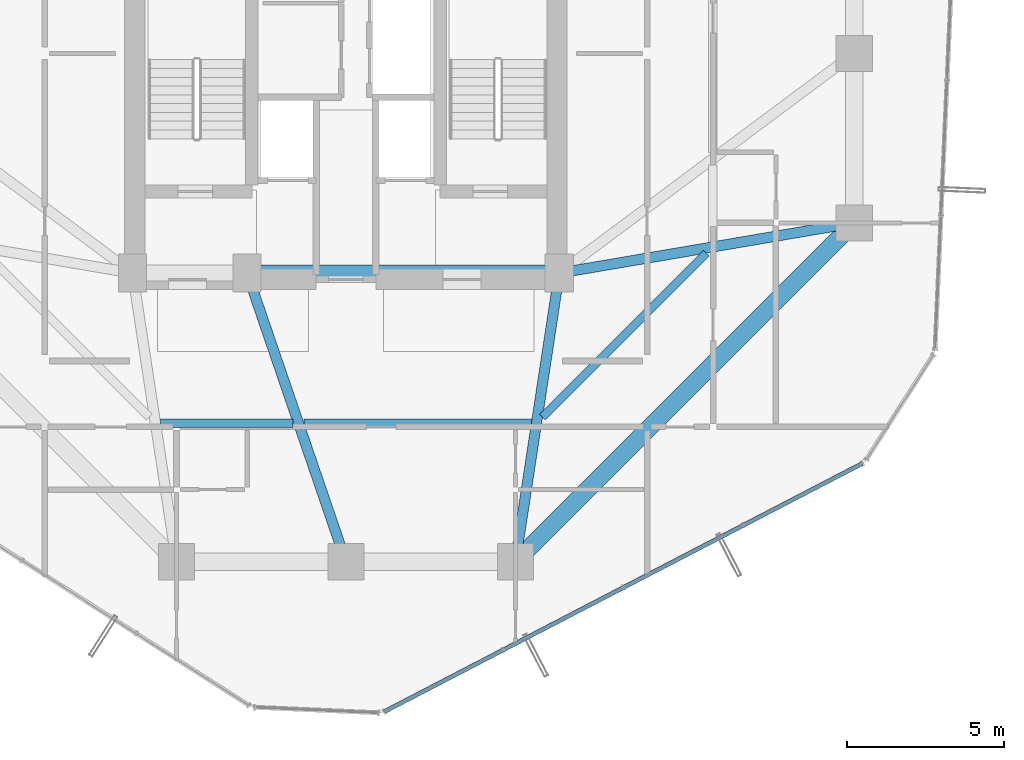
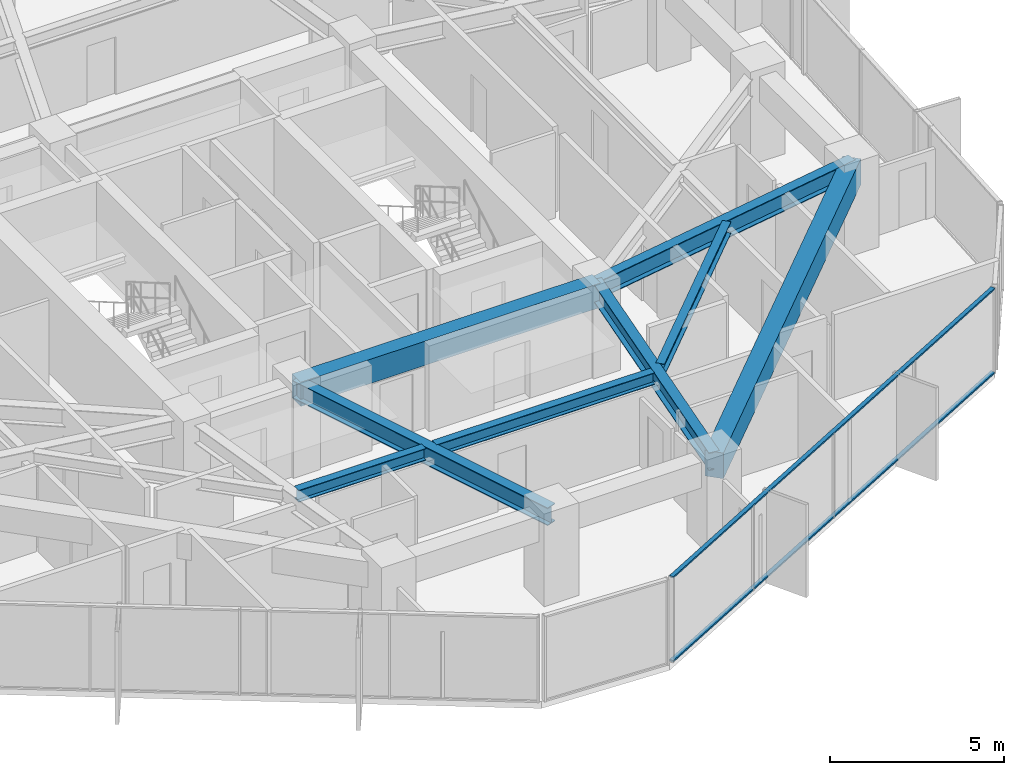
# One storey, part 7 of 30: 8 beams, 2 members, 1 element without a shape of its own.
"""IFC4 building model written with IfcOpenShell, lengths in metres."""

from ifc_helpers import new_model, si_unit, direction, frame, origin, origin_2d, place, context, subcontext, project, spatial, rectangle, hollow_rectangle, i_section, extrude, source, transform, mapped, material, layer, layer_set, material_profile, profile_set, type_object, element, aggregate, save


model = new_model("IFC4")

# Units and contexts
model_context = context("Model", 3, precision=1e-05, world=origin(), true_north=direction((0.0, 1.0)))
body_context = subcontext(model_context, "Body", "Model", "MODEL_VIEW")
ifc_project = project(units=[si_unit("LENGTHUNIT", "METRE"), si_unit("AREAUNIT", "SQUARE_METRE"), si_unit("VOLUMEUNIT", "CUBIC_METRE"), si_unit("PLANEANGLEUNIT", "RADIAN"), si_unit("MASSUNIT", "GRAM", prefix="KILO")], contexts=[model_context])

# Site, building, storey
site_placement = place(None, origin())
site = spatial("IfcSite", under=ifc_project, at=site_placement, CompositionType="ELEMENT")
building_placement = place(site_placement, origin())
building = spatial("IfcBuilding", under=site, at=building_placement, Name="Veraguas Prism Commons", CompositionType="ELEMENT")
storey_placement = place(building_placement, frame((0.0, 0.0, 119.75)))
storey = spatial("IfcBuildingStorey", under=building, at=storey_placement, Name="L33", CompositionType="ELEMENT", Elevation=119.75)

# Beams
ifc_material_1 = material(Name="Concrete C50/60", Category="concrete")
ifc_material_profile_1 = material_profile(ifc_material_1, rectangle(XDim=0.5, YDim=0.85009765625, at=origin_2d()), Name="RC500X850")
ifc_profile_set_1 = profile_set([ifc_material_profile_1], Name="Concrete C50/60")
beam_type_1 = type_object("IfcBeamType", Name="Core Coupling Beam RC 500x850", PredefinedType="BEAM", material=ifc_profile_set_1)
beam_1_placement = place(storey_placement, frame((20.85009765625, 17.0, 2.574951171875), z_axis=(1.0, 0.0, 0.0), x_axis=(0.0, 1.0, 0.0)))
element("IfcBeam", 1, at=beam_1_placement, inside=storey, type_object=beam_type_1, Name="Core Coupling Beam L33-CRS2", PredefinedType="BEAM", context=body_context, shape_type="SweptSolid", body=[
    extrude(rectangle(XDim=0.5, YDim=0.85009765625, at=origin_2d()), origin(), (0.0, 0.0, 1.0), 9.949951171875),
])
ifc_material_2 = material(Name="Steel ASTM A992 Grade 50", Category="steel")
ifc_material_profile_2 = material_profile(ifc_material_2, i_section(OverallWidth=0.260986328125, OverallDepth=0.419921875, WebThickness=0.01171875, FlangeThickness=0.019287109375, at=origin_2d()), Name="W410X114")
ifc_profile_set_2 = profile_set([ifc_material_profile_2], Name="Steel ASTM A992 Grade 50")
beam_type_2 = type_object("IfcBeamType", Name="Lower Floor Joist W410x114", PredefinedType="JOIST", material=ifc_profile_set_2)
beam_2_placement = place(storey_placement, frame((18.091796875, 12.216064453125, 2.7900390625), z_axis=(1.0, 0.0, 0.0), x_axis=(0.0, 1.0, 0.0)))
element("IfcBeam", 2, at=beam_2_placement, inside=storey, type_object=beam_type_2, Name="Composite Floor Joist L33-JS10", PredefinedType="JOIST", context=body_context, shape_type="SweptSolid", body=[
    extrude(i_section(OverallWidth=0.260986328125, OverallDepth=0.419921875, WebThickness=0.01171875, FlangeThickness=0.019287109375, at=origin_2d()), origin(), (0.0, 0.0, 1.0), 4.22509765625),
])
beam_3_placement = place(storey_placement, frame((22.6591796875, 12.216064453125, 2.7900390625), z_axis=(1.0, 0.0, 0.0), x_axis=(0.0, 1.0, 0.0)))
element("IfcBeam", 3, at=beam_3_placement, inside=storey, type_object=beam_type_2, Name="Composite Floor Joist L33-JS11", PredefinedType="JOIST", context=body_context, shape_type="SweptSolid", body=[
    extrude(i_section(OverallWidth=0.260986328125, OverallDepth=0.419921875, WebThickness=0.01171875, FlangeThickness=0.019287109375, at=origin_2d()), origin(), (0.0, 0.0, 1.0), 7.2490234375),
])
beam_4_placement = place(storey_placement, frame((30.265380859375, 12.4091796875, 2.7900390625), z_axis=(0.707090260193, 0.707123301794, 0.0), x_axis=(-0.707123301794, 0.707090260193, 0.0)))
element("IfcBeam", 4, at=beam_4_placement, inside=storey, type_object=beam_type_2, Name="Composite Floor Joist L33-JS12", PredefinedType="JOIST", context=body_context, shape_type="SweptSolid", body=[
    extrude(i_section(OverallWidth=0.260986328125, OverallDepth=0.419921875, WebThickness=0.01171875, FlangeThickness=0.019287109375, at=origin_2d()), origin(), (0.0, 0.0, 1.0), 7.388916015625),
])
ifc_material_profile_3 = material_profile(ifc_material_1, rectangle(XDim=0.550048828125, YDim=0.89990234375, at=origin_2d()), Name="RC550X900")
ifc_profile_set_3 = profile_set([ifc_material_profile_3], Name="Concrete C50/60")
beam_type_3 = type_object("IfcBeamType", Name="Perimeter Spandrel Lower RC 550x900", PredefinedType="SPANDREL", material=ifc_profile_set_3)
beam_5_placement = place(storey_placement, frame((29.39990234375, 7.800048828125, 2.550048828125), z_axis=(0.707106781187, 0.707106781187, 0.0), x_axis=(-0.707106781187, 0.707106781187, 0.0)))
element("IfcBeam", 5, at=beam_5_placement, inside=storey, type_object=beam_type_3, Name="Perimeter Spandrel Beam L33-SP12", PredefinedType="SPANDREL", context=body_context, shape_type="SweptSolid", body=[
    extrude(rectangle(XDim=0.550048828125, YDim=0.89990234375, at=origin_2d()), origin(), (0.0, 0.0, 1.0), 15.273681640625),
])
ifc_material_profile_4 = material_profile(ifc_material_2, i_section(OverallWidth=0.327880859375, OverallDepth=0.6220703125, WebThickness=0.015380859375, FlangeThickness=0.0244140625, at=origin_2d()), Name="W610X195")
ifc_profile_set_4 = profile_set([ifc_material_profile_4], Name="Steel ASTM A992 Grade 50")
beam_type_4 = type_object("IfcBeamType", Name="Zone 2 Radial Girder W610x195", PredefinedType="BEAM", material=ifc_profile_set_4)
beam_6_placement = place(storey_placement, frame((40.199951171875, 18.60009765625, 2.68896484375), z_axis=(-0.985819187151, -0.1678109956, 0.0), x_axis=(0.1678109956, -0.985819187151, 0.0)))
element("IfcBeam", 6, at=beam_6_placement, inside=storey, type_object=beam_type_4, Name="Radial Floor Girder L33-RD01", PredefinedType="BEAM", context=body_context, shape_type="SweptSolid", body=[
    extrude(i_section(OverallWidth=0.327880859375, OverallDepth=0.6220703125, WebThickness=0.015380859375, FlangeThickness=0.0244140625, at=origin_2d()), origin(), (0.0, 0.0, 1.0), 9.53515625),
])
beam_7_placement = place(storey_placement, frame((24.0, 7.800048828125, 2.68896484375), z_axis=(-0.323922482989, 0.946083624747, 0.0), x_axis=(-0.946083624747, -0.323922482989, 0.0)))
element("IfcBeam", 7, at=beam_7_placement, inside=storey, type_object=beam_type_4, Name="Radial Floor Girder L33-RD11", PredefinedType="BEAM", context=body_context, shape_type="SweptSolid", body=[
    extrude(i_section(OverallWidth=0.327880859375, OverallDepth=0.6220703125, WebThickness=0.015380859375, FlangeThickness=0.0244140625, at=origin_2d()), origin(), (0.0, 0.0, 1.0), 9.724365234375),
])
beam_8_placement = place(storey_placement, frame((29.39990234375, 7.800048828125, 2.68896484375), z_axis=(0.150458162136, 0.98861637729, 0.0), x_axis=(-0.98861637729, 0.150458162136, 0.0)))
element("IfcBeam", 8, at=beam_8_placement, inside=storey, type_object=beam_type_4, Name="Radial Floor Girder L33-RD12", PredefinedType="BEAM", context=body_context, shape_type="SweptSolid", body=[
    extrude(i_section(OverallWidth=0.327880859375, OverallDepth=0.6220703125, WebThickness=0.015380859375, FlangeThickness=0.0244140625, at=origin_2d()), origin(), (0.0, 0.0, 1.0), 9.305908203125),
])

# Curtain wall, members
ifc_material_3 = material(Name="Anodised aluminium EN AW-6063 T6", Category="aluminium")
ifc_layer = layer(ifc_material_3, 0.169921875, Name="Unitised Flush Curtain Wall Zone 2", Category="aluminium")
ifc_layer_set = layer_set([ifc_layer], Name="Anodised aluminium EN AW-6063 T6")
curtain_wall_type = type_object("IfcCurtainWallType", Name="Unitised Flush Curtain Wall Zone 2", PredefinedType="NOTDEFINED", material=ifc_layer_set)
curtain_wall_placement = place(storey_placement, origin())
curtain_wall = element("IfcCurtainWall", 9, at=curtain_wall_placement, inside=storey, type_object=curtain_wall_type, Name="Tower Facade Curtain Wall L33-F5", PredefinedType="NOTDEFINED")
ifc_material_profile_5 = material_profile(ifc_material_3, hollow_rectangle(XDim=0.054931640625, YDim=0.135009765625, WallThickness=0.0029296875, at=origin_2d()), Name="AL55X135X3")
ifc_profile_set_5 = profile_set([ifc_material_profile_5], Name="Anodised aluminium EN AW-6063 T6")
member_type = type_object("IfcMemberType", Name="Curtain Wall Transom Standard AL 55x135x3", PredefinedType="USERDEFINED", material=ifc_profile_set_5)
shared_shape = source(origin(), body_context, "Body", "SweptSolid", [
    extrude(hollow_rectangle(XDim=0.054931640625, YDim=0.135009765625, WallThickness=0.0029296875, at=origin_2d()), origin(), (0.0, 0.0, 1.0), 17.17431640625),
])
member_1_placement = place(storey_placement, frame((25.218505859375, 3.0185546875, 0.027587890625), z_axis=(0.887493840759, 0.460819577074, 0.0), x_axis=(0.0, 0.0, 1.0)))
member_1 = element("IfcMember", 10, at=member_1_placement, type_object=member_type, Name="CW-Z2 Transom 1", ObjectType="TRANSOM", PredefinedType="USERDEFINED", context=body_context, shape_type="MappedRepresentation", body=[
    mapped(shared_shape, transform((0.0, 0.0, 0.0), scale=1.0)),
])
member_2_placement = place(storey_placement, frame((25.218505859375, 3.0185546875, 2.972412109375), z_axis=(0.887493840759, 0.460819577074, 0.0), x_axis=(0.0, 0.0, 1.0)))
member_2 = element("IfcMember", 11, at=member_2_placement, type_object=member_type, Name="CW-Z2 Transom 2", ObjectType="TRANSOM", PredefinedType="USERDEFINED", context=body_context, shape_type="MappedRepresentation", body=[
    mapped(shared_shape, transform((0.0, 0.0, 0.0), scale=1.0)),
])
aggregate(curtain_wall, [member_1, member_2])

save(model, "model.ifc")
